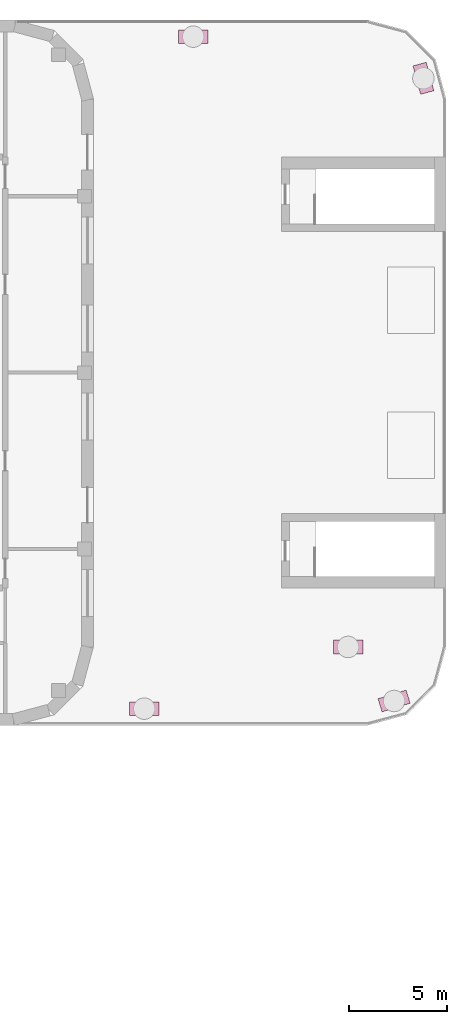
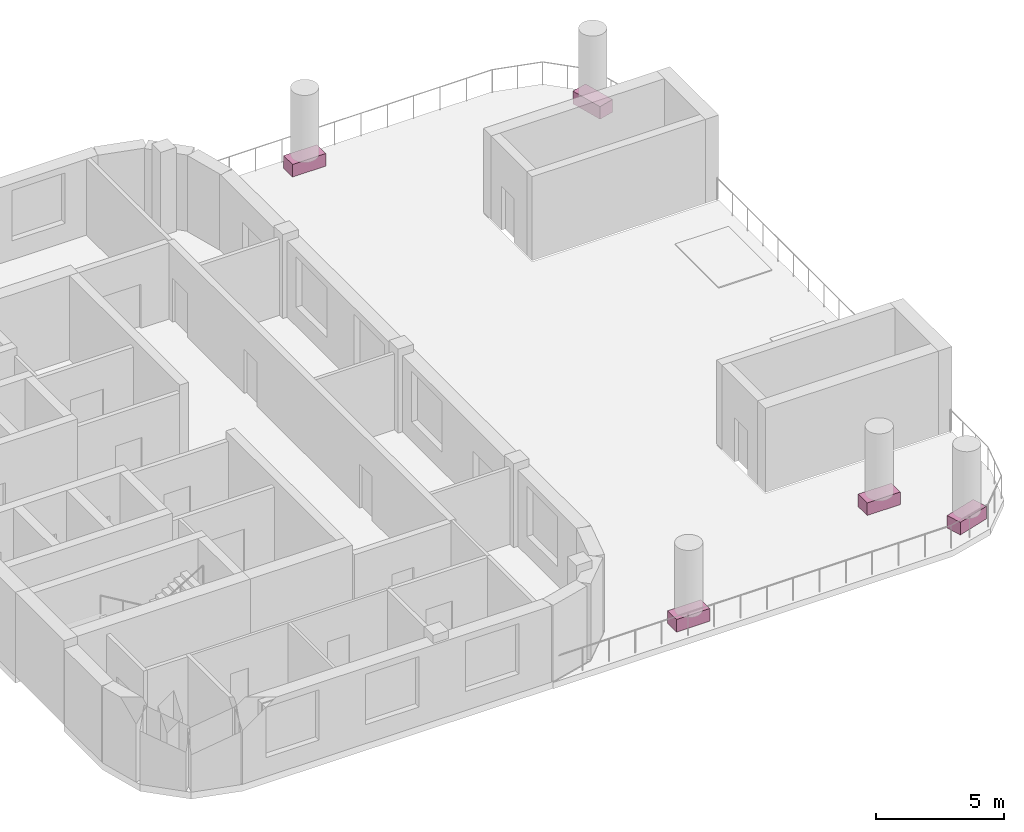
# One storey, part 13 of 14: 5 furniture elements.
"""IFC4 building model written with IfcOpenShell, lengths in metres."""

import ifcopenshell
import ifcopenshell.guid

model = None  # the IFC model being written
_history = None  # IfcOwnerHistory: only IFC2X3 demands one
_inside = {}  # id of a spatial element -> (the spatial element, [elements in it])
_under = {}  # id of a project, library or spatial element -> (it, [spatial elements below it])
_declared = {}  # id of a project -> (the project, [libraries it declares])
_typed = {}  # id of a type object -> (the type object, [elements of that type])
_made_of = {}  # id of a material, layer set ... -> (it, [elements and type objects made of it])


def new_model(schema):
    """Start an empty IFC model of exactly this schema.

    Asked for "IFC4X3", IfcOpenShell would pick the latest addendum, in which some entities
    have other attributes; the version numbers below select the first issue.
    IFC2X3 requires an IfcOwnerHistory on every rooted entity: one is made here for all.
    """
    global model, _history
    if schema == "IFC4X3":
        model = ifcopenshell.file(schema_version=(4, 3, 0, 0))
    else:
        model = ifcopenshell.file(schema=schema)
    _inside.clear()
    _under.clear()
    _declared.clear()
    _typed.clear()
    _made_of.clear()
    _history = None
    if model.schema == "IFC2X3":
        org = make("IfcOrganization", Name="unknown")
        user = make(
            "IfcPersonAndOrganization",
            ThePerson=make("IfcPerson", FamilyName="unknown"),
            TheOrganization=org,
        )
        app = make(
            "IfcApplication",
            ApplicationDeveloper=org,
            Version="unknown",
            ApplicationFullName="unknown",
            ApplicationIdentifier="unknown",
        )
        _history = make(
            "IfcOwnerHistory",
            OwningUser=user,
            OwningApplication=app,
            ChangeAction="ADDED",
            CreationDate=0,
        )
    return model


def make(cls, **values):
    """One entity of the class cls with the attributes given. An attribute that is None is left unset."""
    return model.create_entity(
        cls, **{name: value for name, value in values.items() if value is not None}
    )


def rooted(cls, **values):
    """An entity with a GlobalId (a new one), such as an element, a storey or a relation."""
    return make(cls, GlobalId=ifcopenshell.guid.new(), OwnerHistory=_history, **values)


def si_unit(unit_type, name, prefix=None):
    """IfcSIUnit, for example si_unit("LENGTHUNIT", "METRE", prefix="MILLI")."""
    return make("IfcSIUnit", UnitType=unit_type, Prefix=prefix, Name=name)


def assignment(units):
    """IfcUnitAssignment: the units of a project."""
    return None if units is None else make("IfcUnitAssignment", Units=units)


def point(xyz):
    """IfcCartesianPoint."""
    return None if xyz is None else make("IfcCartesianPoint", Coordinates=xyz)


def direction(xyz):
    """IfcDirection."""
    return None if xyz is None else make("IfcDirection", DirectionRatios=xyz)


def frame(location, z_axis=None, x_axis=None):
    """IfcAxis2Placement3D, a coordinate frame: its origin and axes. An axis left out is left unset."""
    return make(
        "IfcAxis2Placement3D",
        Location=point(location),
        Axis=direction(z_axis),
        RefDirection=direction(x_axis),
    )


def frame_2d(location, x_axis=None):
    """IfcAxis2Placement2D, a coordinate frame in the plane: its origin and x axis."""
    return make(
        "IfcAxis2Placement2D", Location=point(location), RefDirection=direction(x_axis)
    )


def origin():
    """The frame at (0, 0, 0) with its axes left unset."""
    return frame((0.0, 0.0, 0.0))


def origin_2d():
    """The frame at (0, 0) in the plane with its x axis left unset."""
    return frame_2d((0.0, 0.0))


def place(relative_to, where):
    """IfcLocalPlacement: puts the frame where relative to a parent placement (None: the world)."""
    return make(
        "IfcLocalPlacement", PlacementRelTo=relative_to, RelativePlacement=where
    )


def context(
    kind, dimensions, precision=None, world=None, true_north=None, identifier=None
):
    """IfcGeometricRepresentationContext, for example the 3D "Model" context."""
    return make(
        "IfcGeometricRepresentationContext",
        ContextIdentifier=identifier,
        ContextType=kind,
        CoordinateSpaceDimension=dimensions,
        Precision=precision,
        WorldCoordinateSystem=world,
        TrueNorth=true_north,
    )


def subcontext(parent, identifier, kind, view, scale=None):
    """IfcGeometricRepresentationSubContext, for example "Body" below "Model"."""
    return make(
        "IfcGeometricRepresentationSubContext",
        ContextIdentifier=identifier,
        ContextType=kind,
        ParentContext=parent,
        TargetScale=scale,
        TargetView=view,
    )


def project(units=None, contexts=None):
    """IfcProject with its units and contexts."""
    return rooted(
        "IfcProject",
        Name="project",
        RepresentationContexts=contexts,
        UnitsInContext=assignment(units),
    )


def spatial(cls, under=None, at=None, **own):
    """A site, building, storey or space (cls), placed at a placement, below another one or the project."""
    s = rooted(cls, ObjectPlacement=at, **own)
    if under is not None:
        _under.setdefault(under.id(), (under, []))[1].append(s)
    return s


def profile(cls, at=None, kind="AREA", **sizes):
    """A parametric profile (cls). Its sizes go by their IFC names, for example OverallWidth=200.0."""
    return make(cls, ProfileType=kind, Position=at, **sizes)


def rectangle(**sizes):
    """IfcRectangleProfileDef."""
    return profile("IfcRectangleProfileDef", **sizes)


def extrude(swept, where, along, depth):
    """IfcExtrudedAreaSolid: the profile swept, set in the frame where, extruded along a direction by depth."""
    return make(
        "IfcExtrudedAreaSolid",
        SweptArea=swept,
        Position=where,
        ExtrudedDirection=direction(along),
        Depth=depth,
    )


def shape(context_of_items, identifier, shape_type, items):
    """IfcShapeRepresentation: the items that make up one representation, for example the "Body"."""
    return make(
        "IfcShapeRepresentation",
        ContextOfItems=context_of_items,
        RepresentationIdentifier=identifier,
        RepresentationType=shape_type,
        Items=items,
    )


def made_of(thing, what):
    """Note that an element or type object is made of a material, layer set ...; save() writes the relation."""
    if what is not None:
        _made_of.setdefault(what.id(), (what, []))[1].append(thing)
    return thing


def element(
    cls,
    number,
    at=None,
    inside=None,
    cuts=None,
    type_object=None,
    material=None,
    context=None,
    identifier="Body",
    shape_type=None,
    held_by="IfcProductDefinitionShape",
    body=None,
    shapes=None,
    **own,
):
    """One element of the class cls, such as IfcWall. Its Tag is "e" and its number.

    at: its placement. inside: the storey or other place that contains it. cuts: it is an
    opening in that element (IfcRelVoidsElement). A single representation is given by context,
    identifier, shape_type and body (its items); several are given by shapes. held_by: the class
    of the entity that holds the representations. save() writes the other relations.
    """
    e = rooted(cls, Tag="e%d" % number, ObjectPlacement=at, **own)
    if body is not None:
        shapes = [shape(context, identifier, shape_type, body)]
    if shapes is not None:
        e.Representation = make(held_by, Representations=shapes)
    if inside is not None:
        _inside.setdefault(inside.id(), (inside, []))[1].append(e)
    if cuts is not None:
        rooted(
            "IfcRelVoidsElement", RelatingBuildingElement=cuts, RelatedOpeningElement=e
        )
    if type_object is not None:
        _typed.setdefault(type_object.id(), (type_object, []))[1].append(e)
    return made_of(e, material)


def aggregate(whole, parts):
    """IfcRelAggregates: a whole, such as a stair, and the parts it consists of."""
    return rooted("IfcRelAggregates", RelatingObject=whole, RelatedObjects=parts)


def save(model, path):
    """Write the relations noted so far, then the file.

    IfcRelAggregates (storeys below a building ...), IfcRelContainedInSpatialStructure (elements
    in a storey), IfcRelDefinesByType, IfcRelAssociatesMaterial and IfcRelDeclares: one each for
    every whole, place, type object, material and project.
    """
    for whole, parts in _under.values():
        aggregate(whole, parts)
    for where, things in _inside.values():
        rooted(
            "IfcRelContainedInSpatialStructure",
            RelatedElements=things,
            RelatingStructure=where,
        )
    for kind, things in _typed.values():
        rooted("IfcRelDefinesByType", RelatedObjects=things, RelatingType=kind)
    for what, things in _made_of.values():
        rooted("IfcRelAssociatesMaterial", RelatedObjects=things, RelatingMaterial=what)
    for by, libraries in _declared.values():
        rooted("IfcRelDeclares", RelatingContext=by, RelatedDefinitions=libraries)
    model.write(path)


model = new_model("IFC4")

# Units and contexts
model_context = context("Model", 3, precision=1e-05, world=origin(), true_north=direction((0.0, 1.0)))
body_context = subcontext(model_context, "Body", "Model", "MODEL_VIEW")
ifc_project = project(units=[si_unit("LENGTHUNIT", "METRE"), si_unit("AREAUNIT", "SQUARE_METRE"), si_unit("VOLUMEUNIT", "CUBIC_METRE"), si_unit("PLANEANGLEUNIT", "RADIAN"), si_unit("MASSUNIT", "GRAM", prefix="KILO")], contexts=[model_context])

# Site, building, storey
site_placement = place(None, origin())
site = spatial("IfcSite", under=ifc_project, at=site_placement, CompositionType="ELEMENT")
building_placement = place(site_placement, origin())
building = spatial("IfcBuilding", under=site, at=building_placement, Name="Skarvind Civic Tower", CompositionType="ELEMENT")
storey_placement = place(building_placement, frame((0.0, 0.0, 89.0)))
storey = spatial("IfcBuildingStorey", under=building, at=storey_placement, Name="L20", CompositionType="ELEMENT", Elevation=89.0)

# Furniture
for number, where, z_axis, x_axis, name in (
    (1, (165.845703125, 143.0234375, 0.0), (0.0, 0.0, 1.0), (0.258819045103, -0.965925826289, 0.0), "ROOF GARDEN PLANTER"),
    (2, (164.34912109375, 111.241455078125, 0.0), (0.0, 0.0, 1.0), (-0.955638924633, -0.294540736955, 0.0), "ROOF GARDEN PLANTER"),
    (3, (151.595703125, 110.85009765625, 0.0), (0.0, 0.0, 1.0), (-1.0, 0.0, 0.0), "ROOF GARDEN PLANTER"),
    (4, (154.0966796875, 145.14990234375, 0.0), (0.0, 0.0, 1.0), (1.0, 0.0, 0.0), "ROOF GARDEN PLANTER"),
    (5, (162.0, 114.0, 0.0), (0.0, 0.0, 1.0), (1.0, 0.0, 0.0), "ROOF GARDEN PLANTER"),
):
    element("IfcFurniture", number, at=place(storey_placement, frame(where, z_axis=z_axis, x_axis=x_axis)), inside=storey, Name=name, ObjectType="PLANTER", PredefinedType="USERDEFINED", context=body_context, shape_type="SweptSolid", body=[
        extrude(rectangle(XDim=1.5, YDim=0.699951171875, at=origin_2d()), origin(), (0.0, 0.0, 1.0), 0.60009765625),
    ])

save(model, "model.ifc")
